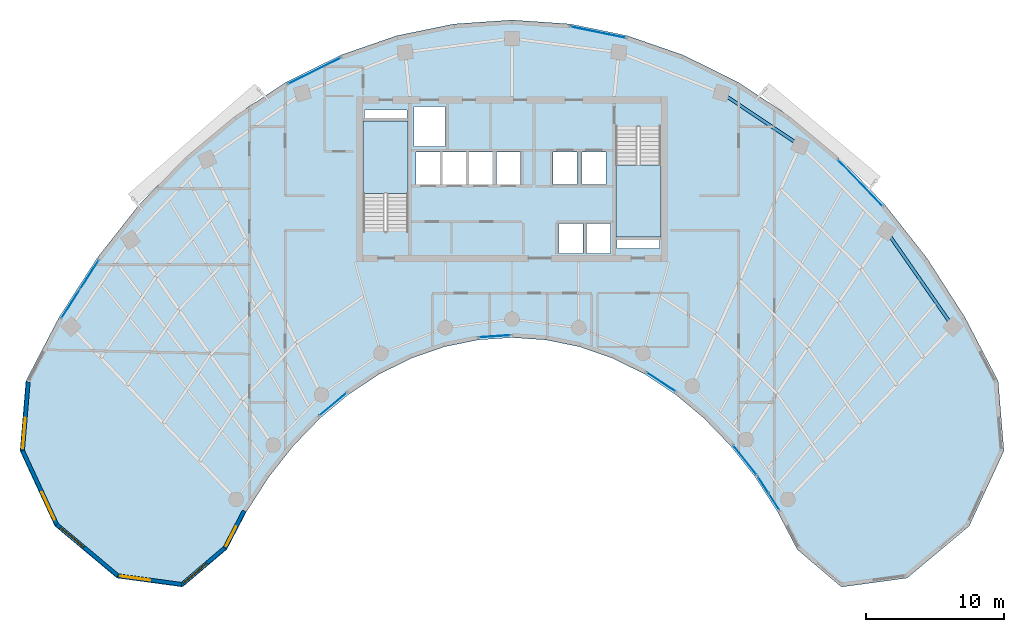
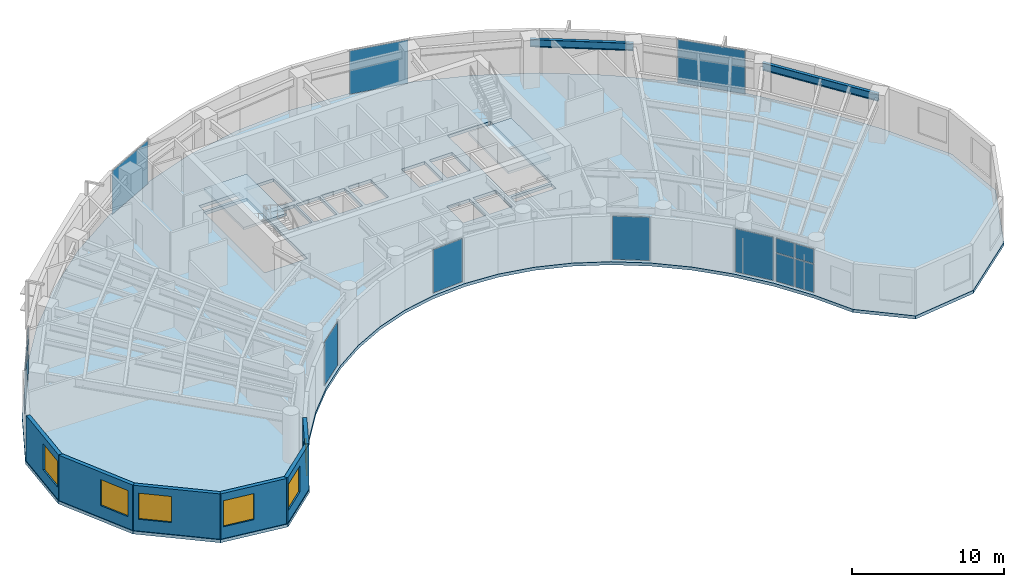
# One storey, part 6 of 13: 15 plates, 6 walls, 6 windows, 3 slabs, 2 beams, 6 openings, 11 elements without a shape of their own.
"""IFC4 building model written with IfcOpenShell, lengths in metres."""

from ifc_helpers import new_model, si_unit, direction, frame, frame_2d, origin, origin_2d, place, context, subcontext, project, spatial, polyline, rectangle, i_section, outline, extrude, source, transform, mapped, material, layer, layer_set, material_profile, profile_set, type_object, type_shapes, element, fill, aggregate, save


model = new_model("IFC4")

# Units and contexts
model_context = context("Model", 3, precision=1e-05, world=origin(), true_north=direction((0.0, 1.0)))
body_context = subcontext(model_context, "Body", "Model", "MODEL_VIEW")
ifc_project = project(units=[si_unit("LENGTHUNIT", "METRE"), si_unit("AREAUNIT", "SQUARE_METRE"), si_unit("VOLUMEUNIT", "CUBIC_METRE"), si_unit("PLANEANGLEUNIT", "RADIAN"), si_unit("MASSUNIT", "GRAM", prefix="KILO")], contexts=[model_context])

# Site, building, storey
site_placement = place(None, origin())
site = spatial("IfcSite", under=ifc_project, at=site_placement, CompositionType="ELEMENT")
building_placement = place(site_placement, origin())
building = spatial("IfcBuilding", under=site, at=building_placement, Name="Breltana Convention Tower", CompositionType="ELEMENT")
storey_placement = place(building_placement, frame((0.0, 0.0, 170.10009765625)))
storey = spatial("IfcBuildingStorey", under=building, at=storey_placement, Name="L41", CompositionType="ELEMENT", Elevation=170.10009765625)

# Beams
ifc_material_1 = material(Name="Steel ASTM A992 Grade 50", Category="steel")
ifc_material_profile = material_profile(ifc_material_1, i_section(OverallWidth=0.22802734375, OverallDepth=0.60791015625, WebThickness=0.01123046875, FlangeThickness=0.017333984375, at=origin_2d()), Name="W24X76")
ifc_profile_set = profile_set([ifc_material_profile], Name="Steel ASTM A992 Grade 50")
beam_type = type_object("IfcBeamType", Name="BM-SP-W24X76", PredefinedType="SPANDREL", material=ifc_profile_set)
shared_shape_1 = source(origin(), body_context, "Body", "SweptSolid", [
    extrude(i_section(OverallWidth=0.22802734375, OverallDepth=0.60791015625, WebThickness=0.01123046875, FlangeThickness=0.017333984375, at=origin_2d()), origin(), (0.0, 0.0, 1.0), 6.856689453125),
])
beam_1_placement = place(storey_placement, frame((63.208984375, 72.4423828125, 3.345947265625), z_axis=(0.83150210718, -0.55552159792, 0.0), x_axis=(0.55552159792, 0.83150210718, 0.0)))
element("IfcBeam", 1, at=beam_1_placement, inside=storey, type_object=beam_type, Name="L41 Outer Spandrel Beam 08", PredefinedType="SPANDREL", context=body_context, shape_type="MappedRepresentation", body=[
    mapped(shared_shape_1, transform((0.0, 0.0, 0.0), scale=1.0)),
])
shared_shape_2 = source(origin(), body_context, "Body", "SweptSolid", [
    extrude(i_section(OverallWidth=0.22802734375, OverallDepth=0.60791015625, WebThickness=0.01123046875, FlangeThickness=0.017333984375, at=origin_2d()), origin(), (0.0, 0.0, 1.0), 8.44970703125),
])
beam_2_placement = place(storey_placement, frame((75.166748046875, 62.43017578125, 3.345947265625), z_axis=(0.5711855381, -0.820820979913, 0.0), x_axis=(0.820820979913, 0.5711855381, 0.0)))
element("IfcBeam", 2, at=beam_2_placement, inside=storey, type_object=beam_type, Name="L41 Outer Spandrel Beam 10", PredefinedType="SPANDREL", context=body_context, shape_type="MappedRepresentation", body=[
    mapped(shared_shape_2, transform((0.0, 0.0, 0.0), scale=1.0)),
])

# Slab
ifc_material_2 = material(Name="Concrete C40/50", Category="concrete")
ifc_layer_1 = layer(ifc_material_2, 0.25, Name="Concrete C40/50")
ifc_layer_set_1 = layer_set([ifc_layer_1], Name="Concrete C40/50")
slab_type_1 = type_object("IfcSlabType", Name="SL-OFF-250", PredefinedType="FLOOR", material=ifc_layer_set_1)
slab_1_placement = place(storey_placement, frame((0.0, 0.0, -0.25)))
element("IfcSlab", 3, at=slab_1_placement, inside=storey, type_object=slab_type_1, Name="L41 Suspended Structural Floor Slab", PredefinedType="FLOOR", context=body_context, shape_type="SweptSolid", body=[
    extrude(outline(polyline([(83.27880859375, 51.539794921875), (80.870361328125, 56.166015625), (78.12548828125, 60.442138671875), (75.072265625, 64.32470703125), (71.74169921875, 67.774169921875), (68.168212890625, 70.7548828125), (64.387939453125, 73.236328125), (60.440185546875, 75.193115234375), (56.36474609375, 76.60546875), (52.203857421875, 77.45849609375), (48.0, 77.743896484375), (43.796142578125, 77.45849609375), (39.63525390625, 76.60546875), (35.559814453125, 75.193115234375), (31.612060546875, 73.236328125), (27.831787109375, 70.7548828125), (24.25830078125, 67.774169921875), (20.927734375, 64.32470703125), (17.87451171875, 60.442138671875), (15.129638671875, 56.166015625), (12.72119140625, 51.539794921875), (12.298095703125, 46.4794921875), (14.822509765625, 41.019287109375), (19.329833984375, 37.2451171875), (24.098876953125, 36.598388671875), (27.3076171875, 39.326171875), (28.72021484375, 42.03955078125), (30.330078125, 44.5478515625), (32.12109375, 46.8251953125), (34.07470703125, 48.848388671875), (36.170654296875, 50.5966796875), (38.3876953125, 52.052001953125), (40.703369140625, 53.19970703125), (43.09375, 54.0283203125), (45.5341796875, 54.528564453125), (48.0, 54.696044921875), (50.4658203125, 54.528564453125), (52.90625, 54.0283203125), (55.296630859375, 53.19970703125), (57.6123046875, 52.052001953125), (59.829345703125, 50.5966796875), (61.92529296875, 48.848388671875), (63.87890625, 46.8251953125), (65.669921875, 44.5478515625), (67.27978515625, 42.03955078125), (68.6923828125, 39.326171875), (71.901123046875, 36.598388671875), (76.670166015625, 37.2451171875), (81.177490234375, 41.019287109375), (83.701904296875, 46.4794921875), (83.27880859375, 51.539794921875)]), holes=[polyline([(37.199951171875, 62.385009765625), (40.469970703125, 62.385009765625), (40.469970703125, 70.39990234375), (37.199951171875, 70.39990234375), (37.199951171875, 62.385009765625)]), polyline([(55.530029296875, 62.0), (58.800048828125, 62.0), (58.800048828125, 70.014892578125), (55.530029296875, 70.014892578125), (55.530029296875, 62.0)]), polyline([(51.39990234375, 60.800048828125), (53.159912109375, 60.800048828125), (53.159912109375, 62.97998046875), (51.39990234375, 62.97998046875), (51.39990234375, 60.800048828125)]), polyline([(53.39990234375, 60.800048828125), (55.159912109375, 60.800048828125), (55.159912109375, 62.97998046875), (53.39990234375, 62.97998046875), (53.39990234375, 60.800048828125)]), polyline([(41.0400390625, 65.820068359375), (42.800048828125, 65.820068359375), (42.800048828125, 68.179931640625), (41.0400390625, 68.179931640625), (41.0400390625, 65.820068359375)]), polyline([(42.93994140625, 65.820068359375), (44.699951171875, 65.820068359375), (44.699951171875, 68.179931640625), (42.93994140625, 68.179931640625), (42.93994140625, 65.820068359375)]), polyline([(44.8701171875, 65.820068359375), (46.6298828125, 65.820068359375), (46.6298828125, 68.179931640625), (44.8701171875, 68.179931640625), (44.8701171875, 65.820068359375)]), polyline([(46.8701171875, 65.820068359375), (48.6298828125, 65.820068359375), (48.6298828125, 68.179931640625), (46.8701171875, 68.179931640625), (46.8701171875, 65.820068359375)]), polyline([(50.969970703125, 65.800048828125), (52.72998046875, 65.800048828125), (52.72998046875, 68.179931640625), (50.969970703125, 68.179931640625), (50.969970703125, 65.800048828125)]), polyline([(53.070068359375, 65.800048828125), (54.830078125, 65.800048828125), (54.830078125, 68.179931640625), (53.070068359375, 68.179931640625), (53.070068359375, 65.800048828125)]), polyline([(40.8798828125, 68.550048828125), (43.1201171875, 68.550048828125), (43.1201171875, 71.449951171875), (40.8798828125, 71.449951171875), (40.8798828125, 68.550048828125)]), polyline([(37.300048828125, 70.60009765625), (40.3798828125, 70.60009765625), (40.3798828125, 71.219970703125), (37.300048828125, 71.219970703125), (37.300048828125, 70.60009765625)]), polyline([(55.6201171875, 61.179931640625), (58.699951171875, 61.179931640625), (58.699951171875, 61.800048828125), (55.6201171875, 61.800048828125), (55.6201171875, 61.179931640625)])]), origin(), (0.0, 0.0, 1.0), 0.25),
])

# Stair, slab
stair_type = type_object("IfcStairType", Name="ST-DOG-1560-R177", PredefinedType="HALF_TURN_STAIR", material=ifc_material_2)
stair_1_placement = place(storey_placement, origin())
stair_1 = element("IfcStair", 4, at=stair_1_placement, inside=storey, type_object=stair_type, Name="L41 Protected Core Exit Stair ST-1", PredefinedType="HALF_TURN_STAIR")
ifc_layer_2 = layer(ifc_material_2, 0.199951171875, Name="Concrete C40/50")
ifc_layer_set_2 = layer_set([ifc_layer_2], Name="Concrete C40/50")
slab_type_2 = type_object("IfcSlabType", Name="SL-STAIR-LANDING-200", PredefinedType="LANDING", material=ifc_layer_set_2)
slab_2_placement = place(storey_placement, frame((0.0, 0.0, 1.75)))
slab_2 = element("IfcSlab", 5, at=slab_2_placement, type_object=slab_type_2, Name="ST-1 landing 1", PredefinedType="LANDING", context=body_context, shape_type="SweptSolid", body=[
    extrude(outline(polyline([(40.469970703125, 65.159912109375), (40.469970703125, 70.39990234375), (37.199951171875, 70.39990234375), (37.199951171875, 65.159912109375), (40.469970703125, 65.159912109375)])), origin(), (0.0, 0.0, 1.0), 0.199951171875),
])
aggregate(stair_1, [slab_2])

stair_2_placement = place(storey_placement, origin())
stair_2 = element("IfcStair", 6, at=stair_2_placement, inside=storey, type_object=stair_type, Name="L41 Protected Core Exit Stair ST-2", PredefinedType="HALF_TURN_STAIR")
slab_3_placement = place(storey_placement, frame((0.0, 0.0, 1.75)))
slab_3 = element("IfcSlab", 7, at=slab_3_placement, type_object=slab_type_2, Name="ST-2 landing 1", PredefinedType="LANDING", context=body_context, shape_type="SweptSolid", body=[
    extrude(outline(polyline([(55.530029296875, 67.239990234375), (55.530029296875, 62.0), (58.800048828125, 62.0), (58.800048828125, 67.239990234375), (55.530029296875, 67.239990234375)])), origin(), (0.0, 0.0, 1.0), 0.199951171875),
])
aggregate(stair_2, [slab_3])

# Curtain wall, plates
ifc_material_3 = material(Name="Aluminium Anodised Bronze Frame", Category="aluminium")
ifc_layer_3 = layer(ifc_material_3, 0.18994140625, Name="Aluminium Anodised Bronze Frame")
ifc_layer_set_3 = layer_set([ifc_layer_3], Name="Aluminium Anodised Bronze Frame")
curtain_wall_type_1 = type_object("IfcCurtainWallType", Name="CW-SYS-1", PredefinedType="NOTDEFINED", material=ifc_layer_set_3)
curtain_wall_1_placement = place(storey_placement, origin())
curtain_wall_1 = element("IfcCurtainWall", 8, at=curtain_wall_1_placement, inside=storey, type_object=curtain_wall_type_1, Name="L41 inner south-court glazing 1", PredefinedType="NOTDEFINED")
ifc_material_4 = material(Name="Glass Low-E Double Glazing", Category="glass")
ifc_layer_4 = layer(ifc_material_4, 0.028076171875, Name="Glass Low-E Double Glazing")
ifc_layer_set_4 = layer_set([ifc_layer_4], Name="Glass Low-E Double Glazing")
plate_type = type_object("IfcPlateType", Name="CWP-IGU-28", PredefinedType="CURTAIN_PANEL", material=ifc_layer_set_4)
shared_shape_3 = source(origin(), body_context, "Body", "SweptSolid", [
    extrude(rectangle(XDim=1.3701171875, YDim=0.028076171875, at=origin_2d()), origin(), (0.0, 0.0, 1.0), 2.25244140625),
])
plate_1_placement = place(storey_placement, frame((67.01806640625, 42.78076171875, 0.079833984375), z_axis=(0.0, 0.0, 1.0), x_axis=(-0.540184298954, 0.841546744491, 0.0)))
plate_1 = element("IfcPlate", 9, at=plate_1_placement, type_object=plate_type, Name="CW-01 panel 1.1", PredefinedType="CURTAIN_PANEL", context=body_context, shape_type="MappedRepresentation", body=[
    mapped(shared_shape_3, transform((0.0, 0.0, 0.0), scale=1.0)),
])
plate_2_placement = place(storey_placement, frame((66.234619140625, 44.001220703125, 0.079833984375), z_axis=(0.0, 0.0, 1.0), x_axis=(-0.540184298954, 0.841546744491, 0.0)))
plate_2 = element("IfcPlate", 10, at=plate_2_placement, type_object=plate_type, Name="CW-01 panel 2.1", PredefinedType="CURTAIN_PANEL", context=body_context, shape_type="MappedRepresentation", body=[
    mapped(shared_shape_3, transform((0.0, 0.0, 0.0), scale=1.0)),
])
shared_shape_4 = source(origin(), body_context, "Body", "SweptSolid", [
    extrude(rectangle(XDim=1.3701171875, YDim=0.028076171875, at=origin_2d()), origin(), (0.0, 0.0, 1.0), 1.157470703125),
])
plate_3_placement = place(storey_placement, frame((67.01806640625, 42.78076171875, 2.41259765625), z_axis=(0.0, 0.0, 1.0), x_axis=(-0.540184298954, 0.841546744491, 0.0)))
plate_3 = element("IfcPlate", 11, at=plate_3_placement, type_object=plate_type, Name="CW-01 panel 1.2", PredefinedType="CURTAIN_PANEL", context=body_context, shape_type="MappedRepresentation", body=[
    mapped(shared_shape_4, transform((0.0, 0.0, 0.0), scale=1.0)),
])
plate_4_placement = place(storey_placement, frame((66.234619140625, 44.001220703125, 2.41259765625), z_axis=(0.0, 0.0, 1.0), x_axis=(-0.540184298954, 0.841546744491, 0.0)))
plate_4 = element("IfcPlate", 12, at=plate_4_placement, type_object=plate_type, Name="CW-01 panel 2.2", PredefinedType="CURTAIN_PANEL", context=body_context, shape_type="MappedRepresentation", body=[
    mapped(shared_shape_4, transform((0.0, 0.0, 0.0), scale=1.0)),
])
aggregate(curtain_wall_1, [plate_1, plate_3, plate_2, plate_4])

# Curtain wall, plate
curtain_wall_2_placement = place(storey_placement, origin())
curtain_wall_2 = element("IfcCurtainWall", 13, at=curtain_wall_2_placement, inside=storey, type_object=curtain_wall_type_1, Name="L41 inner south-court glazing 2", PredefinedType="NOTDEFINED")
shared_shape_5 = source(origin(), body_context, "Body", "SweptSolid", [
    extrude(rectangle(XDim=2.737060546875, YDim=0.028076171875, at=origin_2d()), origin(), (0.0, 0.0, 1.0), 3.489990234375),
])
plate_5_placement = place(storey_placement, frame((64.915771484375, 45.7978515625, 0.080078125), z_axis=(0.0, 0.0, 1.0), x_axis=(-0.618161435717, 0.786051168431, 0.0)))
plate_5 = element("IfcPlate", 14, at=plate_5_placement, type_object=plate_type, Name="CW-01 panel 1.1", PredefinedType="CURTAIN_PANEL", context=body_context, shape_type="MappedRepresentation", body=[
    mapped(shared_shape_5, transform((0.0, 0.0, 0.0), scale=1.0)),
])
aggregate(curtain_wall_2, [plate_5])

curtain_wall_3_placement = place(storey_placement, origin())
curtain_wall_3 = element("IfcCurtainWall", 15, at=curtain_wall_3_placement, inside=storey, type_object=curtain_wall_type_1, Name="L41 inner south-court glazing 3", PredefinedType="NOTDEFINED")
shared_shape_6 = source(origin(), body_context, "Body", "SweptSolid", [
    extrude(rectangle(XDim=2.4921875, YDim=0.028076171875, at=origin_2d()), origin(), (0.0, 0.0, 1.0), 3.489990234375),
])
plate_6_placement = place(storey_placement, frame((58.819580078125, 51.474853515625, 0.080078125), z_axis=(0.0, 0.0, 1.0), x_axis=(-0.835985210307, 0.548751973252, 0.0)))
plate_6 = element("IfcPlate", 16, at=plate_6_placement, type_object=plate_type, Name="CW-01 panel 1.1", PredefinedType="CURTAIN_PANEL", context=body_context, shape_type="MappedRepresentation", body=[
    mapped(shared_shape_6, transform((0.0, 0.0, 0.0), scale=1.0)),
])
aggregate(curtain_wall_3, [plate_6])

curtain_wall_4_placement = place(storey_placement, origin())
curtain_wall_4 = element("IfcCurtainWall", 17, at=curtain_wall_4_placement, inside=storey, type_object=curtain_wall_type_1, Name="L41 inner south-court glazing 4", PredefinedType="NOTDEFINED")
shared_shape_7 = source(origin(), body_context, "Body", "SweptSolid", [
    extrude(rectangle(XDim=2.3115234375, YDim=0.028076171875, at=origin_2d()), origin(), (0.0, 0.0, 1.0), 3.489990234375),
])
plate_7_placement = place(storey_placement, frame((46.7548828125, 54.7919921875, 0.080078125), z_axis=(0.0, 0.0, 1.0), x_axis=(-0.997703496195, -0.067732810965, 0.0)))
plate_7 = element("IfcPlate", 18, at=plate_7_placement, type_object=plate_type, Name="CW-01 panel 1.1", PredefinedType="CURTAIN_PANEL", context=body_context, shape_type="MappedRepresentation", body=[
    mapped(shared_shape_7, transform((0.0, 0.0, 0.0), scale=1.0)),
])
aggregate(curtain_wall_4, [plate_7])

curtain_wall_5_placement = place(storey_placement, origin())
curtain_wall_5 = element("IfcCurtainWall", 19, at=curtain_wall_5_placement, inside=storey, type_object=curtain_wall_type_1, Name="L41 inner south-court glazing 5", PredefinedType="NOTDEFINED")
shared_shape_8 = source(origin(), body_context, "Body", "SweptSolid", [
    extrude(rectangle(XDim=2.5693359375, YDim=0.028076171875, at=origin_2d()), origin(), (0.0, 0.0, 1.0), 3.489990234375),
])
plate_8_placement = place(storey_placement, frame((35.00732421875, 49.860595703125, 0.080078125), z_axis=(0.0, 0.0, 1.0), x_axis=(-0.767926895316, -0.640537495741, 0.0)))
plate_8 = element("IfcPlate", 20, at=plate_8_placement, type_object=plate_type, Name="CW-01 panel 1.1", PredefinedType="CURTAIN_PANEL", context=body_context, shape_type="MappedRepresentation", body=[
    mapped(shared_shape_8, transform((0.0, 0.0, 0.0), scale=1.0)),
])
aggregate(curtain_wall_5, [plate_8])

# Curtain wall, plates
ifc_layer_5 = layer(ifc_material_3, 0.2099609375, Name="Aluminium Anodised Bronze Frame")
ifc_layer_set_5 = layer_set([ifc_layer_5], Name="Aluminium Anodised Bronze Frame")
curtain_wall_type_2 = type_object("IfcCurtainWallType", Name="CW-SYS-3", PredefinedType="NOTDEFINED", material=ifc_layer_set_5)
curtain_wall_6_placement = place(storey_placement, origin())
curtain_wall_6 = element("IfcCurtainWall", 21, at=curtain_wall_6_placement, inside=storey, type_object=curtain_wall_type_2, Name="L41 outer double-skin inner glazing 1", PredefinedType="NOTDEFINED")
shared_shape_9 = source(origin(), body_context, "Body", "SweptSolid", [
    extrude(rectangle(XDim=2.42724609375, YDim=0.028076171875, at=origin_2d()), origin(), (0.0, 0.0, 1.0), 2.25244140625),
])
plate_9_placement = place(storey_placement, frame((15.97900390625, 57.15576171875, 0.079833984375), z_axis=(0.0, 0.0, 1.0), x_axis=(0.54017267843, 0.841554203529, 0.0)))
plate_9 = element("IfcPlate", 22, at=plate_9_placement, type_object=plate_type, Name="CW-03 panel 1.1", PredefinedType="CURTAIN_PANEL", context=body_context, shape_type="MappedRepresentation", body=[
    mapped(shared_shape_9, transform((0.0, 0.0, 0.0), scale=1.0)),
])
plate_10_placement = place(storey_placement, frame((17.327880859375, 59.25732421875, 0.079833984375), z_axis=(0.0, 0.0, 1.0), x_axis=(0.54017267843, 0.841554203529, 0.0)))
plate_10 = element("IfcPlate", 23, at=plate_10_placement, type_object=plate_type, Name="CW-03 panel 2.1", PredefinedType="CURTAIN_PANEL", context=body_context, shape_type="MappedRepresentation", body=[
    mapped(shared_shape_9, transform((0.0, 0.0, 0.0), scale=1.0)),
])
shared_shape_10 = source(origin(), body_context, "Body", "SweptSolid", [
    extrude(rectangle(XDim=2.42724609375, YDim=0.028076171875, at=origin_2d()), origin(), (0.0, 0.0, 1.0), 1.157470703125),
])
plate_11_placement = place(storey_placement, frame((15.97900390625, 57.15576171875, 2.41259765625), z_axis=(0.0, 0.0, 1.0), x_axis=(0.54017267843, 0.841554203529, 0.0)))
plate_11 = element("IfcPlate", 24, at=plate_11_placement, type_object=plate_type, Name="CW-03 panel 1.2", PredefinedType="CURTAIN_PANEL", context=body_context, shape_type="MappedRepresentation", body=[
    mapped(shared_shape_10, transform((0.0, 0.0, 0.0), scale=1.0)),
])
plate_12_placement = place(storey_placement, frame((17.327880859375, 59.25732421875, 2.41259765625), z_axis=(0.0, 0.0, 1.0), x_axis=(0.54017267843, 0.841554203529, 0.0)))
plate_12 = element("IfcPlate", 25, at=plate_12_placement, type_object=plate_type, Name="CW-03 panel 2.2", PredefinedType="CURTAIN_PANEL", context=body_context, shape_type="MappedRepresentation", body=[
    mapped(shared_shape_10, transform((0.0, 0.0, 0.0), scale=1.0)),
])
aggregate(curtain_wall_6, [plate_9, plate_11, plate_10, plate_12])

# Curtain wall, plate
curtain_wall_7_placement = place(storey_placement, origin())
curtain_wall_7 = element("IfcCurtainWall", 26, at=curtain_wall_7_placement, inside=storey, type_object=curtain_wall_type_2, Name="L41 outer double-skin inner glazing 2", PredefinedType="NOTDEFINED")
shared_shape_11 = source(origin(), body_context, "Body", "SweptSolid", [
    extrude(rectangle(XDim=4.243896484375, YDim=0.028076171875, at=origin_2d()), origin(), (0.0, 0.0, 1.0), 3.489990234375),
])
plate_13_placement = place(storey_placement, frame((33.665771484375, 74.053466796875, 0.080078125), z_axis=(0.0, 0.0, 1.0), x_axis=(0.895968385619, 0.444117835682, 0.0)))
plate_13 = element("IfcPlate", 27, at=plate_13_placement, type_object=plate_type, Name="CW-03 panel 1.1", PredefinedType="CURTAIN_PANEL", context=body_context, shape_type="MappedRepresentation", body=[
    mapped(shared_shape_11, transform((0.0, 0.0, 0.0), scale=1.0)),
])
aggregate(curtain_wall_7, [plate_13])

curtain_wall_8_placement = place(storey_placement, origin())
curtain_wall_8 = element("IfcCurtainWall", 28, at=curtain_wall_8_placement, inside=storey, type_object=curtain_wall_type_2, Name="L41 outer double-skin inner glazing 3", PredefinedType="NOTDEFINED")
shared_shape_12 = source(origin(), body_context, "Body", "SweptSolid", [
    extrude(rectangle(XDim=4.08349609375, YDim=0.028076171875, at=origin_2d()), origin(), (0.0, 0.0, 1.0), 3.489990234375),
])
plate_14_placement = place(storey_placement, frame((54.248291015625, 76.855712890625, 0.080078125), z_axis=(0.0, 0.0, 1.0), x_axis=(0.979616560993, -0.200876562668, 0.0)))
plate_14 = element("IfcPlate", 29, at=plate_14_placement, type_object=plate_type, Name="CW-03 panel 1.1", PredefinedType="CURTAIN_PANEL", context=body_context, shape_type="MappedRepresentation", body=[
    mapped(shared_shape_12, transform((0.0, 0.0, 0.0), scale=1.0)),
])
aggregate(curtain_wall_8, [plate_14])

curtain_wall_9_placement = place(storey_placement, origin())
curtain_wall_9 = element("IfcCurtainWall", 30, at=curtain_wall_9_placement, inside=storey, type_object=curtain_wall_type_2, Name="L41 outer double-skin inner glazing 4", PredefinedType="NOTDEFINED")
shared_shape_13 = source(origin(), body_context, "Body", "SweptSolid", [
    extrude(rectangle(XDim=4.635986328125, YDim=0.028076171875, at=origin_2d()), origin(), (0.0, 0.0, 1.0), 3.489990234375),
])
plate_15_placement = place(storey_placement, frame((73.277587890625, 65.92431640625, 0.080078125), z_axis=(0.0, 0.0, 1.0), x_axis=(0.694602734297, -0.719393523398, 0.0)))
plate_15 = element("IfcPlate", 31, at=plate_15_placement, type_object=plate_type, Name="CW-03 panel 1.1", PredefinedType="CURTAIN_PANEL", context=body_context, shape_type="MappedRepresentation", body=[
    mapped(shared_shape_13, transform((0.0, 0.0, 0.0), scale=1.0)),
])
aggregate(curtain_wall_9, [plate_15])

# Wall, opening, window
ifc_material_5 = material(Name="Limestone Buff Insulated Wall", Category="masonry")
ifc_layer_6 = layer(ifc_material_5, 0.280029296875, Name="Limestone Buff Insulated Wall")
ifc_layer_set_6 = layer_set([ifc_layer_6], Name="Limestone Buff Insulated Wall")
wall_type = type_object("IfcWallType", Name="WL-EXT-NOSE-280", PredefinedType="SOLIDWALL", material=ifc_layer_set_6)
shared_shape_14 = source(origin(), body_context, "Body", "SweptSolid", [
    extrude(rectangle(XDim=4.994384765625, YDim=0.280029296875, at=frame_2d((2.4970703125, 0.0))), origin(), (0.0, 0.0, 1.0), 3.64990234375),
])
wall_1_placement = place(storey_placement, frame((12.4814453125, 46.51171875, 0.0), z_axis=(0.0, 0.0, 1.0), x_axis=(0.083344839916, 0.996520766296, 0.0)))
wall_1 = element("IfcWall", 32, at=wall_1_placement, inside=storey, type_object=wall_type, Name="L41 curved limestone nose wall W6", PredefinedType="SOLIDWALL", context=body_context, shape_type="MappedRepresentation", body=[
    mapped(shared_shape_14, transform((0.0, 0.0, 0.0), scale=1.0)),
])
opening_1_placement = place(wall_1_placement, frame((0.159912109375, 0.0, 0.949951171875)))
opening_1 = element("IfcOpeningElement", 33, at=opening_1_placement, cuts=wall_1, Name="Opening W-03", PredefinedType="OPENING", context=body_context, shape_type="SweptSolid", body=[
    extrude(rectangle(XDim=2.199951171875, YDim=2.10009765625, at=frame_2d((1.10009765625, 1.050048828125))), frame((0.0, 0.14990234375, 0.0), z_axis=(0.0, -1.0, 0.0), x_axis=(1.0, 0.0, 0.0)), (0.0, 0.0, 1.0), 0.300048828125),
])
ifc_material_6 = material(Name="Glass Low-E Insulated Window", Category="glass")
window_type_1 = type_object("IfcWindowType", Name="WN-NOSE-2200X2100", PartitioningType="TRIPLE_PANEL_VERTICAL", PredefinedType="WINDOW", material=ifc_material_6)
shared_shape_15 = source(origin(), body_context, "Body", "SweptSolid", [
    extrude(rectangle(XDim=2.199951171875, YDim=2.10009765625, at=frame_2d((1.10009765625, 1.050048828125))), frame((0.0, 0.030029296875, 0.0), z_axis=(0.0, -1.0, 0.0), x_axis=(1.0, 0.0, 0.0)), (0.0, 0.0, 1.0), 0.06005859375),
])
type_shapes(window_type_1, [shared_shape_15])
window_1_placement = place(opening_1_placement, origin())
window_1 = element("IfcWindow", 34, at=window_1_placement, inside=storey, type_object=window_type_1, Name="L41 nose window W6", OverallHeight=2.10009765625, OverallWidth=2.199951171875, PartitioningType="TRIPLE_PANEL_VERTICAL", PredefinedType="WINDOW", context=body_context, shape_type="MappedRepresentation", body=[
    mapped(shared_shape_15, transform((0.0, 0.0, 0.0), scale=1.0)),
])
fill(opening_1, window_1)

shared_shape_16 = source(origin(), body_context, "Body", "SweptSolid", [
    extrude(rectangle(XDim=5.927490234375, YDim=0.280029296875, at=frame_2d((2.9638671875, 0.0))), origin(), (0.0, 0.0, 1.0), 3.64990234375),
])
wall_2_placement = place(storey_placement, frame((14.968994140625, 41.13134765625, 0.0), z_axis=(0.0, 0.0, 1.0), x_axis=(-0.419656204795, 0.907683132914, 0.0)))
wall_2 = element("IfcWall", 35, at=wall_2_placement, inside=storey, type_object=wall_type, Name="L41 curved limestone nose wall W5", PredefinedType="SOLIDWALL", context=body_context, shape_type="MappedRepresentation", body=[
    mapped(shared_shape_16, transform((0.0, 0.0, 0.0), scale=1.0)),
])
opening_2_placement = place(wall_2_placement, frame((0.3818359375, 0.0, 0.949951171875)))
opening_2 = element("IfcOpeningElement", 36, at=opening_2_placement, cuts=wall_2, Name="Opening W-03", PredefinedType="OPENING", context=body_context, shape_type="SweptSolid", body=[
    extrude(rectangle(XDim=2.199951171875, YDim=2.10009765625, at=frame_2d((1.10009765625, 1.050048828125))), frame((0.0, 0.14990234375, 0.0), z_axis=(0.0, -1.0, 0.0), x_axis=(1.0, 0.0, 0.0)), (0.0, 0.0, 1.0), 0.300048828125),
])
window_2_placement = place(opening_2_placement, origin())
window_2 = element("IfcWindow", 37, at=window_2_placement, inside=storey, type_object=window_type_1, Name="L41 nose window W5", OverallHeight=2.10009765625, OverallWidth=2.199951171875, PartitioningType="TRIPLE_PANEL_VERTICAL", PredefinedType="WINDOW", context=body_context, shape_type="MappedRepresentation", body=[
    mapped(shared_shape_15, transform((0.0, 0.0, 0.0), scale=1.0)),
])
fill(opening_2, window_2)

shared_shape_17 = source(origin(), body_context, "Body", "SweptSolid", [
    extrude(rectangle(XDim=5.786376953125, YDim=0.280029296875, at=frame_2d((2.89306640625, 0.0))), origin(), (0.0, 0.0, 1.0), 3.64990234375),
])
wall_3_placement = place(storey_placement, frame((19.405517578125, 37.41650390625, 0.0), z_axis=(0.0, 0.0, 1.0), x_axis=(-0.766711306852, 0.641992034176, 0.0)))
wall_3 = element("IfcWall", 38, at=wall_3_placement, inside=storey, type_object=wall_type, Name="L41 curved limestone nose wall W4", PredefinedType="SOLIDWALL", context=body_context, shape_type="MappedRepresentation", body=[
    mapped(shared_shape_17, transform((0.0, 0.0, 0.0), scale=1.0)),
])
opening_3_placement = place(wall_3_placement, frame((3.239990234375, 0.0, 0.949951171875)))
opening_3 = element("IfcOpeningElement", 39, at=opening_3_placement, cuts=wall_3, Name="Opening W-03", PredefinedType="OPENING", context=body_context, shape_type="SweptSolid", body=[
    extrude(rectangle(XDim=2.199951171875, YDim=2.10009765625, at=frame_2d((1.10009765625, 1.050048828125))), frame((0.0, 0.14990234375, 0.0), z_axis=(0.0, -1.0, 0.0), x_axis=(1.0, 0.0, 0.0)), (0.0, 0.0, 1.0), 0.300048828125),
])
window_3_placement = place(opening_3_placement, origin())
window_3 = element("IfcWindow", 40, at=window_3_placement, inside=storey, type_object=window_type_1, Name="L41 nose window W4", OverallHeight=2.10009765625, OverallWidth=2.199951171875, PartitioningType="TRIPLE_PANEL_VERTICAL", PredefinedType="WINDOW", context=body_context, shape_type="MappedRepresentation", body=[
    mapped(shared_shape_15, transform((0.0, 0.0, 0.0), scale=1.0)),
])
fill(opening_3, window_3)

shared_shape_18 = source(origin(), body_context, "Body", "SweptSolid", [
    extrude(rectangle(XDim=4.680419921875, YDim=0.280029296875, at=frame_2d((2.34033203125, 0.0))), origin(), (0.0, 0.0, 1.0), 3.64990234375),
])
wall_4_placement = place(storey_placement, frame((24.04345703125, 36.78759765625, 0.0), z_axis=(0.0, 0.0, 1.0), x_axis=(-0.990931146435, 0.134370618162, 0.0)))
wall_4 = element("IfcWall", 41, at=wall_4_placement, inside=storey, type_object=wall_type, Name="L41 curved limestone nose wall W3", PredefinedType="SOLIDWALL", context=body_context, shape_type="MappedRepresentation", body=[
    mapped(shared_shape_18, transform((0.0, 0.0, 0.0), scale=1.0)),
])
opening_4_placement = place(wall_4_placement, frame((2.3203125, 0.0, 0.949951171875)))
opening_4 = element("IfcOpeningElement", 42, at=opening_4_placement, cuts=wall_4, Name="Opening W-03", PredefinedType="OPENING", context=body_context, shape_type="SweptSolid", body=[
    extrude(rectangle(XDim=2.199951171875, YDim=2.10009765625, at=frame_2d((1.10009765625, 1.050048828125))), frame((0.0, 0.14990234375, 0.0), z_axis=(0.0, -1.0, 0.0), x_axis=(1.0, 0.0, 0.0)), (0.0, 0.0, 1.0), 0.300048828125),
])
window_4_placement = place(opening_4_placement, origin())
window_4 = element("IfcWindow", 43, at=window_4_placement, inside=storey, type_object=window_type_1, Name="L41 nose window W3", OverallHeight=2.10009765625, OverallWidth=2.199951171875, PartitioningType="TRIPLE_PANEL_VERTICAL", PredefinedType="WINDOW", context=body_context, shape_type="MappedRepresentation", body=[
    mapped(shared_shape_15, transform((0.0, 0.0, 0.0), scale=1.0)),
])
fill(opening_4, window_4)

shared_shape_19 = source(origin(), body_context, "Body", "SweptSolid", [
    extrude(rectangle(XDim=4.095947265625, YDim=0.280029296875, at=frame_2d((2.0478515625, 0.0))), origin(), (0.0, 0.0, 1.0), 3.64990234375),
])
wall_5_placement = place(storey_placement, frame((27.164306640625, 39.4404296875, 0.0), z_axis=(0.0, 0.0, 1.0), x_axis=(-0.761926081737, -0.647663991564, 0.0)))
wall_5 = element("IfcWall", 44, at=wall_5_placement, inside=storey, type_object=wall_type, Name="L41 curved limestone nose wall W2", PredefinedType="SOLIDWALL", context=body_context, shape_type="MappedRepresentation", body=[
    mapped(shared_shape_19, transform((0.0, 0.0, 0.0), scale=1.0)),
])
opening_5_placement = place(wall_5_placement, frame((1.736083984375, 0.0, 0.949951171875)))
opening_5 = element("IfcOpeningElement", 45, at=opening_5_placement, cuts=wall_5, Name="Opening W-03", PredefinedType="OPENING", context=body_context, shape_type="SweptSolid", body=[
    extrude(rectangle(XDim=2.199951171875, YDim=2.10009765625, at=frame_2d((1.10009765625, 1.050048828125))), frame((0.0, 0.14990234375, 0.0), z_axis=(0.0, -1.0, 0.0), x_axis=(1.0, 0.0, 0.0)), (0.0, 0.0, 1.0), 0.300048828125),
])
window_5_placement = place(opening_5_placement, origin())
window_5 = element("IfcWindow", 46, at=window_5_placement, inside=storey, type_object=window_type_1, Name="L41 nose window W2", OverallHeight=2.10009765625, OverallWidth=2.199951171875, PartitioningType="TRIPLE_PANEL_VERTICAL", PredefinedType="WINDOW", context=body_context, shape_type="MappedRepresentation", body=[
    mapped(shared_shape_15, transform((0.0, 0.0, 0.0), scale=1.0)),
])
fill(opening_5, window_5)

shared_shape_20 = source(origin(), body_context, "Body", "SweptSolid", [
    extrude(rectangle(XDim=3.02392578125, YDim=0.280029296875, at=frame_2d((1.511962890625, 0.0))), origin(), (0.0, 0.0, 1.0), 3.64990234375),
])
wall_6_placement = place(storey_placement, frame((28.560546875, 42.122802734375, 0.0), z_axis=(0.0, 0.0, 1.0), x_axis=(-0.461718746531, -0.887026380161, 0.0)))
wall_6 = element("IfcWall", 47, at=wall_6_placement, inside=storey, type_object=wall_type, Name="L41 curved limestone nose wall W1", PredefinedType="SOLIDWALL", context=body_context, shape_type="MappedRepresentation", body=[
    mapped(shared_shape_20, transform((0.0, 0.0, 0.0), scale=1.0)),
])
opening_6_placement = place(wall_6_placement, frame((1.263916015625, 0.0, 0.949951171875)))
opening_6 = element("IfcOpeningElement", 48, at=opening_6_placement, cuts=wall_6, Name="Opening W-04", PredefinedType="OPENING", context=body_context, shape_type="SweptSolid", body=[
    extrude(rectangle(XDim=1.60009765625, YDim=1.89990234375, at=frame_2d((0.800048828125, 0.949951171875))), frame((0.0, 0.14990234375, 0.0), z_axis=(0.0, -1.0, 0.0), x_axis=(1.0, 0.0, 0.0)), (0.0, 0.0, 1.0), 0.300048828125),
])
window_type_2 = type_object("IfcWindowType", Name="WN-NOSE-1600X1900", PartitioningType="SINGLE_PANEL", PredefinedType="WINDOW", material=ifc_material_6)
shared_shape_21 = source(origin(), body_context, "Body", "SweptSolid", [
    extrude(rectangle(XDim=1.60009765625, YDim=1.89990234375, at=frame_2d((0.800048828125, 0.949951171875))), frame((0.0, 0.030029296875, 0.0), z_axis=(0.0, -1.0, 0.0), x_axis=(1.0, 0.0, 0.0)), (0.0, 0.0, 1.0), 0.06005859375),
])
type_shapes(window_type_2, [shared_shape_21])
window_6_placement = place(opening_6_placement, origin())
window_6 = element("IfcWindow", 49, at=window_6_placement, inside=storey, type_object=window_type_2, Name="L41 nose window W1", OverallHeight=1.89990234375, OverallWidth=1.60009765625, PartitioningType="SINGLE_PANEL", PredefinedType="WINDOW", context=body_context, shape_type="MappedRepresentation", body=[
    mapped(shared_shape_21, transform((0.0, 0.0, 0.0), scale=1.0)),
])
fill(opening_6, window_6)

save(model, "model.ifc")
